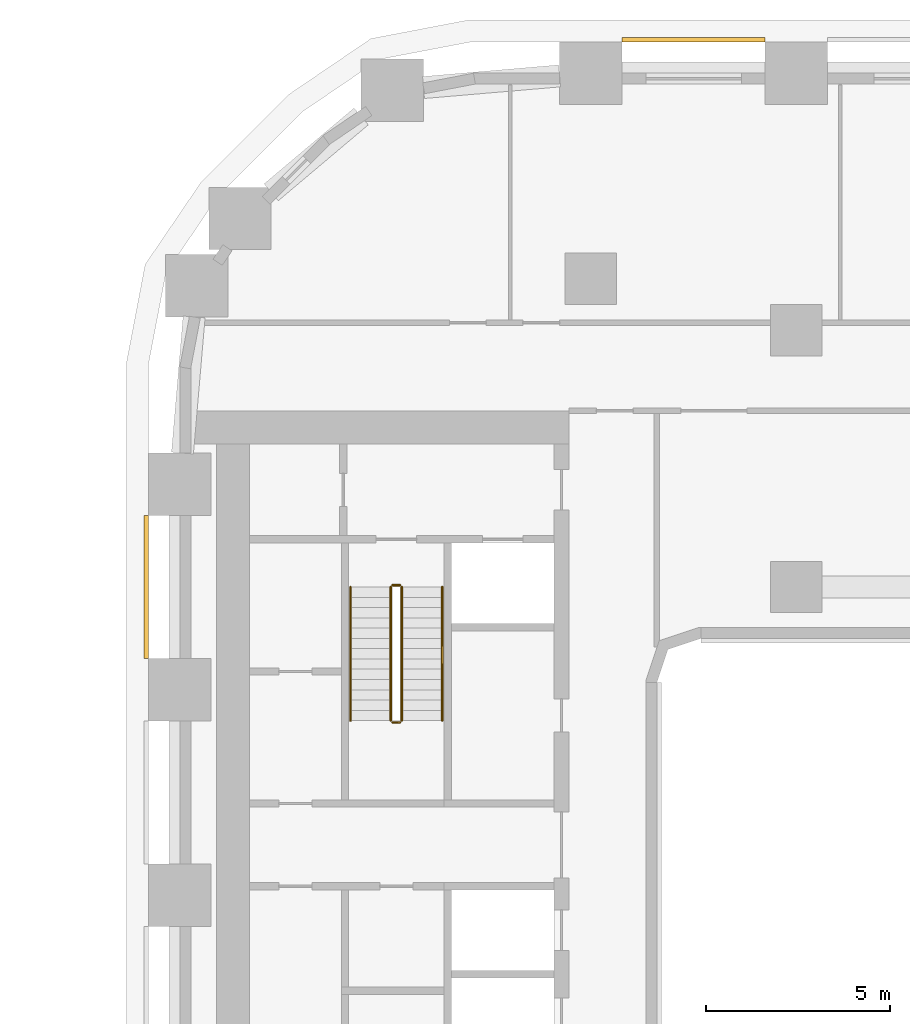
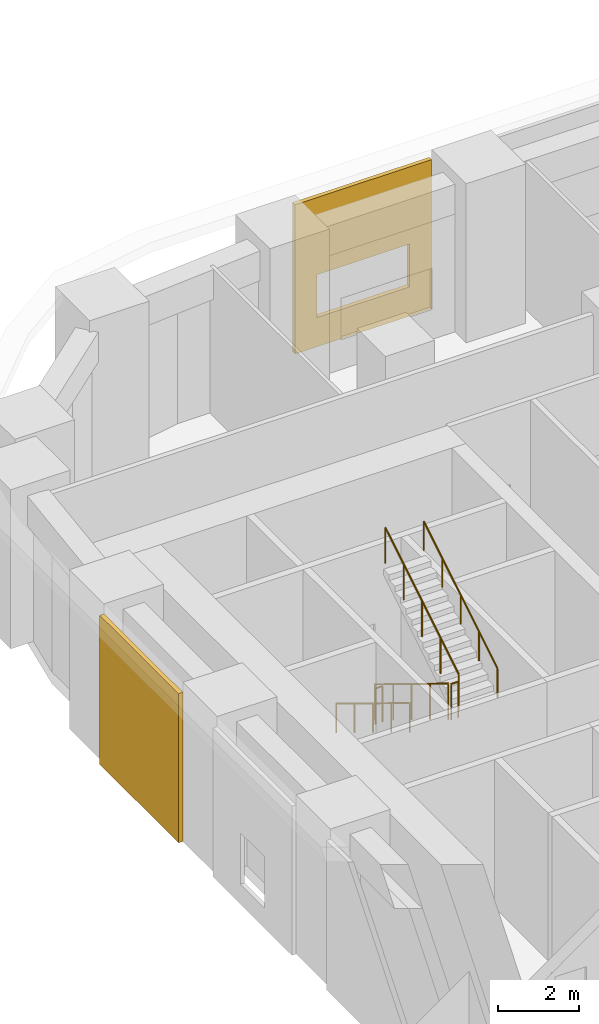
# One storey, part 24 of 27: 6 railings, 2 coverings.
"""IFC4 building model written with IfcOpenShell, lengths in metres."""

import ifcopenshell
import ifcopenshell.guid

model = None  # the IFC model being written
_history = None  # IfcOwnerHistory: only IFC2X3 demands one
_inside = {}  # id of a spatial element -> (the spatial element, [elements in it])
_under = {}  # id of a project, library or spatial element -> (it, [spatial elements below it])
_declared = {}  # id of a project -> (the project, [libraries it declares])
_typed = {}  # id of a type object -> (the type object, [elements of that type])
_made_of = {}  # id of a material, layer set ... -> (it, [elements and type objects made of it])


def new_model(schema):
    """Start an empty IFC model of exactly this schema.

    Asked for "IFC4X3", IfcOpenShell would pick the latest addendum, in which some entities
    have other attributes; the version numbers below select the first issue.
    IFC2X3 requires an IfcOwnerHistory on every rooted entity: one is made here for all.
    """
    global model, _history
    if schema == "IFC4X3":
        model = ifcopenshell.file(schema_version=(4, 3, 0, 0))
    else:
        model = ifcopenshell.file(schema=schema)
    _inside.clear()
    _under.clear()
    _declared.clear()
    _typed.clear()
    _made_of.clear()
    _history = None
    if model.schema == "IFC2X3":
        org = make("IfcOrganization", Name="unknown")
        user = make(
            "IfcPersonAndOrganization",
            ThePerson=make("IfcPerson", FamilyName="unknown"),
            TheOrganization=org,
        )
        app = make(
            "IfcApplication",
            ApplicationDeveloper=org,
            Version="unknown",
            ApplicationFullName="unknown",
            ApplicationIdentifier="unknown",
        )
        _history = make(
            "IfcOwnerHistory",
            OwningUser=user,
            OwningApplication=app,
            ChangeAction="ADDED",
            CreationDate=0,
        )
    return model


def make(cls, **values):
    """One entity of the class cls with the attributes given. An attribute that is None is left unset."""
    return model.create_entity(
        cls, **{name: value for name, value in values.items() if value is not None}
    )


def rooted(cls, **values):
    """An entity with a GlobalId (a new one), such as an element, a storey or a relation."""
    return make(cls, GlobalId=ifcopenshell.guid.new(), OwnerHistory=_history, **values)


def si_unit(unit_type, name, prefix=None):
    """IfcSIUnit, for example si_unit("LENGTHUNIT", "METRE", prefix="MILLI")."""
    return make("IfcSIUnit", UnitType=unit_type, Prefix=prefix, Name=name)


def assignment(units):
    """IfcUnitAssignment: the units of a project."""
    return None if units is None else make("IfcUnitAssignment", Units=units)


def point(xyz):
    """IfcCartesianPoint."""
    return None if xyz is None else make("IfcCartesianPoint", Coordinates=xyz)


def direction(xyz):
    """IfcDirection."""
    return None if xyz is None else make("IfcDirection", DirectionRatios=xyz)


def frame(location, z_axis=None, x_axis=None):
    """IfcAxis2Placement3D, a coordinate frame: its origin and axes. An axis left out is left unset."""
    return make(
        "IfcAxis2Placement3D",
        Location=point(location),
        Axis=direction(z_axis),
        RefDirection=direction(x_axis),
    )


def frame_2d(location, x_axis=None):
    """IfcAxis2Placement2D, a coordinate frame in the plane: its origin and x axis."""
    return make(
        "IfcAxis2Placement2D", Location=point(location), RefDirection=direction(x_axis)
    )


def origin():
    """The frame at (0, 0, 0) with its axes left unset."""
    return frame((0.0, 0.0, 0.0))


def origin_2d():
    """The frame at (0, 0) in the plane with its x axis left unset."""
    return frame_2d((0.0, 0.0))


def place(relative_to, where):
    """IfcLocalPlacement: puts the frame where relative to a parent placement (None: the world)."""
    return make(
        "IfcLocalPlacement", PlacementRelTo=relative_to, RelativePlacement=where
    )


def context(
    kind, dimensions, precision=None, world=None, true_north=None, identifier=None
):
    """IfcGeometricRepresentationContext, for example the 3D "Model" context."""
    return make(
        "IfcGeometricRepresentationContext",
        ContextIdentifier=identifier,
        ContextType=kind,
        CoordinateSpaceDimension=dimensions,
        Precision=precision,
        WorldCoordinateSystem=world,
        TrueNorth=true_north,
    )


def subcontext(parent, identifier, kind, view, scale=None):
    """IfcGeometricRepresentationSubContext, for example "Body" below "Model"."""
    return make(
        "IfcGeometricRepresentationSubContext",
        ContextIdentifier=identifier,
        ContextType=kind,
        ParentContext=parent,
        TargetScale=scale,
        TargetView=view,
    )


def project(units=None, contexts=None):
    """IfcProject with its units and contexts."""
    return rooted(
        "IfcProject",
        Name="project",
        RepresentationContexts=contexts,
        UnitsInContext=assignment(units),
    )


def spatial(cls, under=None, at=None, **own):
    """A site, building, storey or space (cls), placed at a placement, below another one or the project."""
    s = rooted(cls, ObjectPlacement=at, **own)
    if under is not None:
        _under.setdefault(under.id(), (under, []))[1].append(s)
    return s


def polyline(points):
    """IfcPolyline through the points."""
    return make("IfcPolyline", Points=[point(p) for p in points])


def profile(cls, at=None, kind="AREA", **sizes):
    """A parametric profile (cls). Its sizes go by their IFC names, for example OverallWidth=200.0."""
    return make(cls, ProfileType=kind, Position=at, **sizes)


def circle(**sizes):
    """IfcCircleProfileDef."""
    return profile("IfcCircleProfileDef", **sizes)


def outline(outer, holes=None, kind="AREA"):
    """IfcArbitraryClosedProfileDef: a profile drawn as a closed curve; with holes, ...WithVoids."""
    if holes is None:
        return make("IfcArbitraryClosedProfileDef", ProfileType=kind, OuterCurve=outer)
    return make(
        "IfcArbitraryProfileDefWithVoids",
        ProfileType=kind,
        OuterCurve=outer,
        InnerCurves=holes,
    )


def extrude(swept, where, along, depth):
    """IfcExtrudedAreaSolid: the profile swept, set in the frame where, extruded along a direction by depth."""
    return make(
        "IfcExtrudedAreaSolid",
        SweptArea=swept,
        Position=where,
        ExtrudedDirection=direction(along),
        Depth=depth,
    )


def shape(context_of_items, identifier, shape_type, items):
    """IfcShapeRepresentation: the items that make up one representation, for example the "Body"."""
    return make(
        "IfcShapeRepresentation",
        ContextOfItems=context_of_items,
        RepresentationIdentifier=identifier,
        RepresentationType=shape_type,
        Items=items,
    )


def material(Name=None, Category=None):
    """IfcMaterial."""
    return make("IfcMaterial", Name=Name, Category=Category)


def layer(
    of_material, thickness, ventilated=None, Name=None, Category=None, Priority=None
):
    """IfcMaterialLayer: one layer of a wall or slab, of a material (None: an air gap)."""
    return make(
        "IfcMaterialLayer",
        Material=of_material,
        LayerThickness=thickness,
        IsVentilated=ventilated,
        Name=Name,
        Category=Category,
        Priority=Priority,
    )


def layer_set(layers, Name=None):
    """IfcMaterialLayerSet."""
    return make("IfcMaterialLayerSet", MaterialLayers=layers, LayerSetName=Name)


def made_of(thing, what):
    """Note that an element or type object is made of a material, layer set ...; save() writes the relation."""
    if what is not None:
        _made_of.setdefault(what.id(), (what, []))[1].append(thing)
    return thing


def type_object(cls, material=None, **own):
    """A type object (cls), such as IfcWallType, which elements share."""
    return made_of(rooted(cls, **own), material)


def element(
    cls,
    number,
    at=None,
    inside=None,
    cuts=None,
    type_object=None,
    material=None,
    context=None,
    identifier="Body",
    shape_type=None,
    held_by="IfcProductDefinitionShape",
    body=None,
    shapes=None,
    **own,
):
    """One element of the class cls, such as IfcWall. Its Tag is "e" and its number.

    at: its placement. inside: the storey or other place that contains it. cuts: it is an
    opening in that element (IfcRelVoidsElement). A single representation is given by context,
    identifier, shape_type and body (its items); several are given by shapes. held_by: the class
    of the entity that holds the representations. save() writes the other relations.
    """
    e = rooted(cls, Tag="e%d" % number, ObjectPlacement=at, **own)
    if body is not None:
        shapes = [shape(context, identifier, shape_type, body)]
    if shapes is not None:
        e.Representation = make(held_by, Representations=shapes)
    if inside is not None:
        _inside.setdefault(inside.id(), (inside, []))[1].append(e)
    if cuts is not None:
        rooted(
            "IfcRelVoidsElement", RelatingBuildingElement=cuts, RelatedOpeningElement=e
        )
    if type_object is not None:
        _typed.setdefault(type_object.id(), (type_object, []))[1].append(e)
    return made_of(e, material)


def aggregate(whole, parts):
    """IfcRelAggregates: a whole, such as a stair, and the parts it consists of."""
    return rooted("IfcRelAggregates", RelatingObject=whole, RelatedObjects=parts)


def save(model, path):
    """Write the relations noted so far, then the file.

    IfcRelAggregates (storeys below a building ...), IfcRelContainedInSpatialStructure (elements
    in a storey), IfcRelDefinesByType, IfcRelAssociatesMaterial and IfcRelDeclares: one each for
    every whole, place, type object, material and project.
    """
    for whole, parts in _under.values():
        aggregate(whole, parts)
    for where, things in _inside.values():
        rooted(
            "IfcRelContainedInSpatialStructure",
            RelatedElements=things,
            RelatingStructure=where,
        )
    for kind, things in _typed.values():
        rooted("IfcRelDefinesByType", RelatedObjects=things, RelatingType=kind)
    for what, things in _made_of.values():
        rooted("IfcRelAssociatesMaterial", RelatedObjects=things, RelatingMaterial=what)
    for by, libraries in _declared.values():
        rooted("IfcRelDeclares", RelatingContext=by, RelatedDefinitions=libraries)
    model.write(path)


model = new_model("IFC4")

# Units and contexts
model_context = context("Model", 3, precision=1e-05, world=origin(), true_north=direction((0.0, 1.0)))
body_context = subcontext(model_context, "Body", "Model", "MODEL_VIEW")
ifc_project = project(units=[si_unit("LENGTHUNIT", "METRE"), si_unit("AREAUNIT", "SQUARE_METRE"), si_unit("VOLUMEUNIT", "CUBIC_METRE"), si_unit("PLANEANGLEUNIT", "RADIAN"), si_unit("MASSUNIT", "GRAM", prefix="KILO")], contexts=[model_context])

# Site, building, storey
site_placement = place(None, origin())
site = spatial("IfcSite", under=ifc_project, at=site_placement, CompositionType="ELEMENT")
building_placement = place(site_placement, origin())
building = spatial("IfcBuilding", under=site, at=building_placement, Name="Kiln Ring Residences", CompositionType="ELEMENT")
storey_placement = place(building_placement, frame((0.0, 0.0, 6.5)))
storey = spatial("IfcBuildingStorey", under=building, at=storey_placement, Name="L01", CompositionType="ELEMENT", Elevation=6.5)

# Railings
ifc_material_1 = material(Name="Stainless steel", Category="steel")
railing_type_1 = type_object("IfcRailingType", Name="CORE-STAIR-GUARD", PredefinedType="GUARDRAIL", material=ifc_material_1)
railing_1_placement = place(storey_placement, frame((-22.25, 8.39990234375, 0.17138671875)))
element("IfcRailing", 1, at=railing_1_placement, inside=storey, type_object=railing_type_1, Name="L01 W-STN stair guard 1", PredefinedType="GUARDRAIL", context=body_context, shape_type="SweptSolid", body=[
    extrude(circle(Radius=0.02392578125, at=origin_2d()), frame((0.0, 0.0, 1.076171875), z_axis=(0.0, -0.852850264322, 0.5221555579), x_axis=(1.0, 0.0, 0.0)), (0.0, 0.0, 1.0), 4.267822265625),
    extrude(circle(Radius=0.02099609375, at=origin_2d()), origin(), (0.0, 0.0, 1.0), 1.052001953125),
    extrude(circle(Radius=0.02099609375, at=origin_2d()), frame((0.0, -0.909912109375, 0.55712890625)), (0.0, 0.0, 1.0), 1.052001953125),
    extrude(circle(Radius=0.02099609375, at=origin_2d()), frame((0.0, -1.81982421875, 1.1142578125)), (0.0, 0.0, 1.0), 1.052001953125),
    extrude(circle(Radius=0.02099609375, at=origin_2d()), frame((0.0, -2.72998046875, 1.67138671875)), (0.0, 0.0, 1.0), 1.052001953125),
    extrude(circle(Radius=0.02099609375, at=origin_2d()), frame((0.0, -3.639892578125, 2.228515625)), (0.0, 0.0, 1.0), 1.052001953125),
])
railing_2_placement = place(storey_placement, frame((-22.199951171875, 4.7099609375, 2.39990234375)))
element("IfcRailing", 2, at=railing_2_placement, inside=storey, type_object=railing_type_1, Name="L01 W-STN stair guard 2", PredefinedType="GUARDRAIL", context=body_context, shape_type="SweptSolid", body=[
    extrude(circle(Radius=0.02392578125, at=origin_2d()), frame((0.0, 0.0, 1.076171875), z_axis=(1.0, 0.0, 0.0), x_axis=(0.0, 1.0, 0.0)), (0.0, 0.0, 1.0), 0.199951171875),
    extrude(circle(Radius=0.02099609375, at=origin_2d()), origin(), (0.0, 0.0, 1.0), 1.052001953125),
    extrude(circle(Radius=0.02099609375, at=origin_2d()), frame((0.199951171875, 0.0, 0.0)), (0.0, 0.0, 1.0), 1.052001953125),
])
railing_3_placement = place(storey_placement, frame((-21.949951171875, 4.760009765625, 2.571533203125)))
element("IfcRailing", 3, at=railing_3_placement, inside=storey, type_object=railing_type_1, Name="L01 W-STN stair guard 3", PredefinedType="GUARDRAIL", context=body_context, shape_type="SweptSolid", body=[
    extrude(circle(Radius=0.02392578125, at=origin_2d()), frame((0.0, 0.0, 1.076171875), z_axis=(0.0, 0.852850264322, 0.5221555579), x_axis=(-1.0, 0.0, 0.0)), (0.0, 0.0, 1.0), 4.267822265625),
    extrude(circle(Radius=0.02099609375, at=origin_2d()), origin(), (0.0, 0.0, 1.0), 1.052001953125),
    extrude(circle(Radius=0.02099609375, at=origin_2d()), frame((0.0, 0.909912109375, 0.55712890625)), (0.0, 0.0, 1.0), 1.052001953125),
    extrude(circle(Radius=0.02099609375, at=origin_2d()), frame((0.0, 1.81982421875, 1.1142578125)), (0.0, 0.0, 1.0), 1.052001953125),
    extrude(circle(Radius=0.02099609375, at=origin_2d()), frame((0.0, 2.72998046875, 1.67138671875)), (0.0, 0.0, 1.0), 1.052001953125),
    extrude(circle(Radius=0.02099609375, at=origin_2d()), frame((0.0, 3.639892578125, 2.228515625)), (0.0, 0.0, 1.0), 1.052001953125),
])
railing_4_placement = place(storey_placement, frame((-22.199951171875, 8.449951171875, 0.0)))
element("IfcRailing", 4, at=railing_4_placement, inside=storey, type_object=railing_type_1, Name="L01 W-STN stair guard 4", PredefinedType="GUARDRAIL", context=body_context, shape_type="SweptSolid", body=[
    extrude(circle(Radius=0.02392578125, at=origin_2d()), frame((0.0, 0.0, 1.076171875), z_axis=(1.0, 0.0, 0.0), x_axis=(0.0, 1.0, 0.0)), (0.0, 0.0, 1.0), 0.199951171875),
    extrude(circle(Radius=0.02099609375, at=origin_2d()), origin(), (0.0, 0.0, 1.0), 1.052001953125),
    extrude(circle(Radius=0.02099609375, at=origin_2d()), frame((0.199951171875, 0.0, 0.0)), (0.0, 0.0, 1.0), 1.052001953125),
])
ifc_material_2 = material(Name="Stainless steel", Category="steel")
railing_type_2 = type_object("IfcRailingType", Name="CORE-STAIR-HANDRAIL", PredefinedType="HANDRAIL", material=ifc_material_2)
railing_5_placement = place(storey_placement, frame((-23.35009765625, 8.39990234375, 0.17138671875)))
element("IfcRailing", 5, at=railing_5_placement, inside=storey, type_object=railing_type_2, Name="L01 W-STN stair handrail 1", PredefinedType="HANDRAIL", context=body_context, shape_type="SweptSolid", body=[
    extrude(circle(Radius=0.02392578125, at=origin_2d()), frame((0.0, 0.0, 0.8759765625), z_axis=(0.0, -0.852850264322, 0.5221555579), x_axis=(1.0, 0.0, 0.0)), (0.0, 0.0, 1.0), 4.267822265625),
    extrude(circle(Radius=0.02099609375, at=origin_2d()), origin(), (0.0, 0.0, 1.0), 0.851806640625),
    extrude(circle(Radius=0.02099609375, at=origin_2d()), frame((0.0, -0.909912109375, 0.55712890625)), (0.0, 0.0, 1.0), 0.851806640625),
    extrude(circle(Radius=0.02099609375, at=origin_2d()), frame((0.0, -1.81982421875, 1.1142578125)), (0.0, 0.0, 1.0), 0.851806640625),
    extrude(circle(Radius=0.02099609375, at=origin_2d()), frame((0.0, -2.72998046875, 1.67138671875)), (0.0, 0.0, 1.0), 0.851806640625),
    extrude(circle(Radius=0.02099609375, at=origin_2d()), frame((0.0, -3.639892578125, 2.228515625)), (0.0, 0.0, 1.0), 0.851806640625),
])
railing_6_placement = place(storey_placement, frame((-20.85009765625, 4.760009765625, 2.571533203125)))
element("IfcRailing", 6, at=railing_6_placement, inside=storey, type_object=railing_type_2, Name="L01 W-STN stair handrail 2", PredefinedType="HANDRAIL", context=body_context, shape_type="SweptSolid", body=[
    extrude(circle(Radius=0.02392578125, at=origin_2d()), frame((0.0, 0.0, 0.8759765625), z_axis=(0.0, 0.852850264322, 0.5221555579), x_axis=(-1.0, 0.0, 0.0)), (0.0, 0.0, 1.0), 4.267822265625),
    extrude(circle(Radius=0.02099609375, at=origin_2d()), origin(), (0.0, 0.0, 1.0), 0.851806640625),
    extrude(circle(Radius=0.02099609375, at=origin_2d()), frame((0.0, 0.909912109375, 0.55712890625)), (0.0, 0.0, 1.0), 0.851806640625),
    extrude(circle(Radius=0.02099609375, at=origin_2d()), frame((0.0, 1.81982421875, 1.1142578125)), (0.0, 0.0, 1.0), 0.851806640625),
    extrude(circle(Radius=0.02099609375, at=origin_2d()), frame((0.0, 2.72998046875, 1.67138671875)), (0.0, 0.0, 1.0), 0.851806640625),
    extrude(circle(Radius=0.02099609375, at=origin_2d()), frame((0.0, 3.639892578125, 2.228515625)), (0.0, 0.0, 1.0), 0.851806640625),
])

# Coverings
ifc_material_3 = material(Name="Brick masonry, dark clay brick", Category="masonry")
ifc_layer = layer(ifc_material_3, 0.1201171875)
ifc_layer_set = layer_set([ifc_layer], Name="RAINSCREEN PANEL 120")
covering_type = type_object("IfcCoveringType", Name="RAINSCREEN PANEL 120", PredefinedType="CLADDING", material=ifc_layer_set)
covering_1_placement = place(storey_placement, frame((-12.050048828125, 23.31005859375, 0.0), z_axis=(0.0, 0.0, 1.0), x_axis=(-1.0, 0.0, 0.0)))
element("IfcCovering", 7, at=covering_1_placement, inside=storey, type_object=covering_type, Name="RAINSCREEN L01", PredefinedType="CLADDING", context=body_context, shape_type="SweptSolid", body=[
    extrude(outline(polyline([(0.0, 0.0), (3.89990234375, 0.0), (3.89990234375, 4.5), (0.0, 4.5), (0.0, 0.0)]), holes=[polyline([(0.6298828125, 2.169921875), (0.6298828125, 0.8798828125), (3.27001953125, 0.8798828125), (3.27001953125, 2.169921875), (0.6298828125, 2.169921875)])]), frame((0.0, 0.06005859375, 0.0), z_axis=(0.0, -1.0, 0.0), x_axis=(1.0, 0.0, 0.0)), (0.0, 0.0, 1.0), 0.1201171875),
])
covering_2_placement = place(storey_placement, frame((-28.909912109375, 10.35009765625, 0.0), z_axis=(0.0, 0.0, 1.0), x_axis=(0.0, -1.0, 0.0)))
element("IfcCovering", 8, at=covering_2_placement, inside=storey, type_object=covering_type, Name="RAINSCREEN L01", PredefinedType="CLADDING", context=body_context, shape_type="SweptSolid", body=[
    extrude(outline(polyline([(0.0, 0.0), (3.89990234375, 0.0), (3.89990234375, 4.5), (0.0, 4.5), (0.0, 0.0)])), frame((0.0, 0.06005859375, 0.0), z_axis=(0.0, -1.0, 0.0), x_axis=(1.0, 0.0, 0.0)), (0.0, 0.0, 1.0), 0.1201171875),
])

save(model, "model.ifc")
